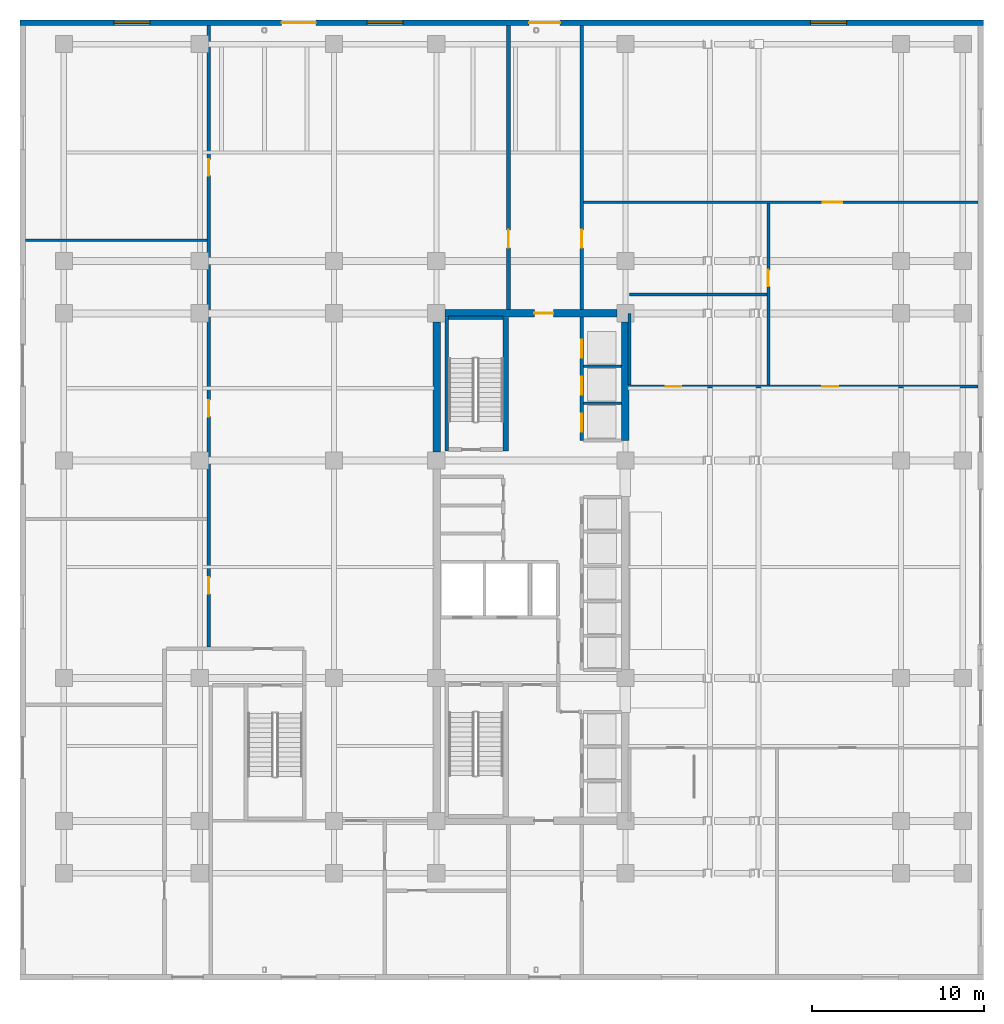
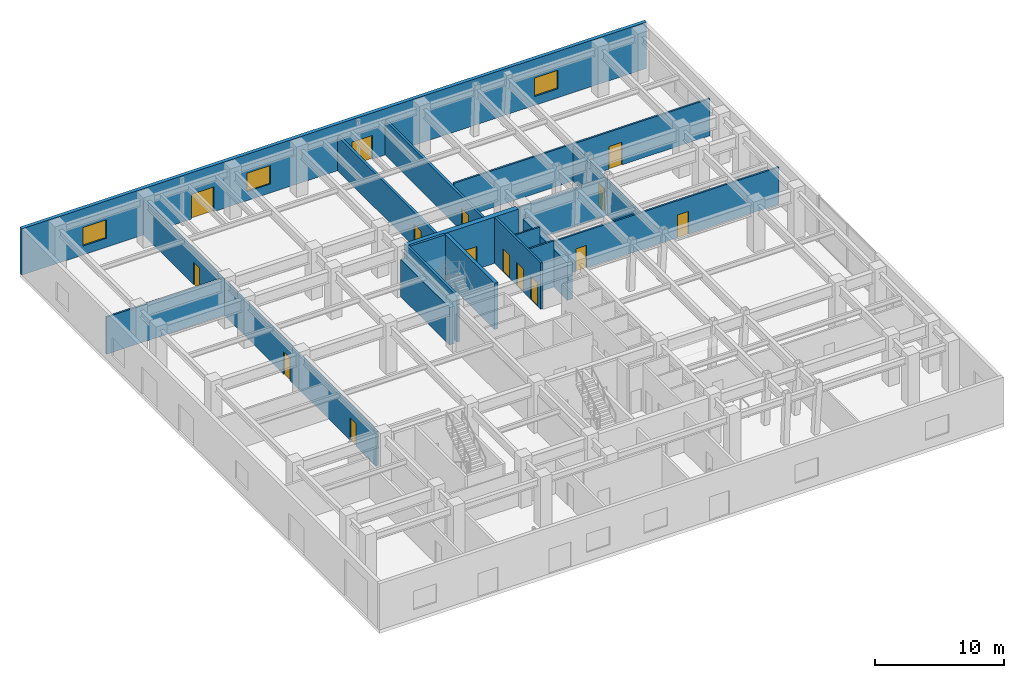
# One storey, part 10 of 13: 19 walls, 15 doors, 3 windows, 18 openings.
"""IFC4 building model written with IfcOpenShell, lengths in metres."""

from ifc_helpers import new_model, si_unit, direction, frame, frame_2d, origin, place, context, subcontext, project, spatial, rectangle, extrude, material, layer, layer_set, type_object, element, fill, save


model = new_model("IFC4")

# Units and contexts
model_context = context("Model", 3, precision=1e-05, world=origin(), true_north=direction((0.0, 1.0)))
body_context = subcontext(model_context, "Body", "Model", "MODEL_VIEW")
ifc_project = project(units=[si_unit("LENGTHUNIT", "METRE"), si_unit("AREAUNIT", "SQUARE_METRE"), si_unit("VOLUMEUNIT", "CUBIC_METRE"), si_unit("PLANEANGLEUNIT", "RADIAN"), si_unit("MASSUNIT", "GRAM", prefix="KILO")], contexts=[model_context])

# Site, building, storey
site_placement = place(None, origin())
site = spatial("IfcSite", under=ifc_project, at=site_placement, CompositionType="ELEMENT")
building_placement = place(site_placement, origin())
building = spatial("IfcBuilding", under=site, at=building_placement, Name="Ochreholt Gables", CompositionType="ELEMENT")
storey_placement = place(building_placement, origin())
storey = spatial("IfcBuildingStorey", under=building, at=storey_placement, Name="L00", CompositionType="ELEMENT", Elevation=0.0)

# Walls
ifc_material_1 = material(Name="Concrete 60 MPa", Category="concrete")
ifc_layer_1 = layer(ifc_material_1, 0.449951171875, Name="Concrete 60 MPa")
ifc_layer_set_1 = layer_set([ifc_layer_1], Name="Concrete 60 MPa")
wall_type_1 = type_object("IfcWallType", Name="WALL-CSW-450", PredefinedType="SHEAR", material=ifc_layer_set_1)
wall_1_placement = place(storey_placement, frame((24.22509765625, 30.699951171875, 0.0), z_axis=(0.0, 0.0, 1.0), x_axis=(0.0, 1.0, 0.0)))
element("IfcWall", 1, at=wall_1_placement, inside=storey, type_object=wall_type_1, Name="L00 Core West Shear Wall WN", PredefinedType="SHEAR", context=body_context, shape_type="SweptSolid", body=[
    extrude(rectangle(XDim=7.550048828125, YDim=0.449951171875, at=frame_2d((3.77490234375, 0.0))), origin(), (0.0, 0.0, 1.0), 3.5390625),
])
wall_2_placement = place(storey_placement, frame((35.175048828125, 31.35009765625, 0.0), z_axis=(0.0, 0.0, 1.0), x_axis=(0.0, 1.0, 0.0)))
element("IfcWall", 2, at=wall_2_placement, inside=storey, type_object=wall_type_1, Name="L00 Core North-East Shear Wall", PredefinedType="SHEAR", context=body_context, shape_type="SweptSolid", body=[
    extrude(rectangle(XDim=6.89990234375, YDim=0.449951171875, at=frame_2d((3.449951171875, 0.0))), origin(), (0.0, 0.0, 1.0), 3.5390625),
])

# Wall, opening, door
wall_3_placement = place(storey_placement, frame((24.699951171875, 38.75, 0.0), z_axis=(0.0, 0.0, 1.0), x_axis=(1.0, 0.0, 0.0)))
wall_3 = element("IfcWall", 3, at=wall_3_placement, inside=storey, type_object=wall_type_1, Name="L00 Core North Shear Wall", PredefinedType="SHEAR", context=body_context, shape_type="SweptSolid", body=[
    extrude(rectangle(XDim=10.0, YDim=0.449951171875, at=frame_2d((5.0, 0.0))), origin(), (0.0, 0.0, 1.0), 4.389892578125),
])
opening_1_placement = place(wall_3_placement, frame((5.199951171875, 0.0, 0.0)))
opening_1 = element("IfcOpeningElement", 4, at=opening_1_placement, cuts=wall_3, Name="Opening D-ST", PredefinedType="OPENING", context=body_context, shape_type="SweptSolid", body=[
    extrude(rectangle(XDim=1.10009765625, YDim=2.14990234375, at=frame_2d((0.550048828125, 1.074951171875))), frame((0.0, 0.23486328125, 0.0), z_axis=(0.0, -1.0, 0.0), x_axis=(1.0, 0.0, 0.0)), (0.0, 0.0, 1.0), 0.469970703125),
])
ifc_material_2 = material(Name="Hollow Metal Steel", Category="steel")
door_type_1 = type_object("IfcDoorType", Name="DR-INT-ST1100", OperationType="NOTDEFINED", PredefinedType="DOOR", material=ifc_material_2)
door_1_placement = place(opening_1_placement, origin())
door_1 = element("IfcDoor", 5, at=door_1_placement, inside=storey, type_object=door_type_1, Name="L00 Door D-CORE-N-L00", OperationType="SINGLE_SWING_RIGHT", OverallHeight=2.14990234375, OverallWidth=1.10009765625, PredefinedType="DOOR", context=body_context, shape_type="SweptSolid", body=[
    extrude(rectangle(XDim=1.10009765625, YDim=2.14990234375, at=frame_2d((0.550048828125, 1.074951171875))), frame((0.0, 0.02490234375, 0.0), z_axis=(0.0, -1.0, 0.0), x_axis=(1.0, 0.0, 0.0)), (0.0, 0.0, 1.0), 0.050048828125),
])
fill(opening_1, door_1)

# Wall, openings, doors, windows
ifc_material_3 = material(Name="Precast concrete 40 MPa", Category="concrete")
ifc_layer_2 = layer(ifc_material_3, 0.320068359375, Name="Precast concrete 40 MPa")
ifc_layer_set_2 = layer_set([ifc_layer_2], Name="Precast concrete 40 MPa")
wall_type_2 = type_object("IfcWallType", Name="WALL-EXT-320", PredefinedType="SOLIDWALL", material=ifc_layer_set_2)
wall_4_placement = place(storey_placement, frame((0.0, 55.639892578125, 0.0), z_axis=(0.0, 0.0, 1.0), x_axis=(1.0, 0.0, 0.0)))
wall_4 = element("IfcWall", 6, at=wall_4_placement, inside=storey, type_object=wall_type_2, Name="L00 North Exterior Facade Wall", PredefinedType="SOLIDWALL", context=body_context, shape_type="SweptSolid", body=[
    extrude(rectangle(XDim=56.0, YDim=0.320068359375, at=frame_2d((28.0, 0.0))), origin(), (0.0, 0.0, 1.0), 4.389892578125),
])
opening_2_placement = place(wall_4_placement, frame((29.60009765625, 0.0, 0.0)))
opening_2 = element("IfcOpeningElement", 7, at=opening_2_placement, cuts=wall_4, Name="Opening D-EX2", PredefinedType="OPENING", context=body_context, shape_type="SweptSolid", body=[
    extrude(rectangle(XDim=1.800048828125, YDim=2.25, at=frame_2d((0.89990234375, 1.125))), frame((0.0, 0.169921875, 0.0), z_axis=(0.0, -1.0, 0.0), x_axis=(1.0, 0.0, 0.0)), (0.0, 0.0, 1.0), 0.340087890625),
])
opening_3_placement = place(wall_4_placement, frame((15.199951171875, 0.0, 0.0)))
opening_3 = element("IfcOpeningElement", 8, at=opening_3_placement, cuts=wall_4, Name="Opening D-EX1", PredefinedType="OPENING", context=body_context, shape_type="SweptSolid", body=[
    extrude(rectangle(XDim=2.0, YDim=2.35009765625, at=frame_2d((1.0, 1.175048828125))), frame((0.0, 0.169921875, 0.0), z_axis=(0.0, -1.0, 0.0), x_axis=(1.0, 0.0, 0.0)), (0.0, 0.0, 1.0), 0.340087890625),
])
opening_4_placement = place(wall_4_placement, frame((5.449951171875, 0.0, 0.85009765625)))
opening_4 = element("IfcOpeningElement", 9, at=opening_4_placement, cuts=wall_4, Name="Opening WN-4", PredefinedType="OPENING", context=body_context, shape_type="SweptSolid", body=[
    extrude(rectangle(XDim=2.10009765625, YDim=1.75, at=frame_2d((1.050048828125, 0.875))), frame((0.0, 0.169921875, 0.0), z_axis=(0.0, -1.0, 0.0), x_axis=(1.0, 0.0, 0.0)), (0.0, 0.0, 1.0), 0.340087890625),
])
opening_5_placement = place(wall_4_placement, frame((20.175048828125, 0.0, 0.85009765625)))
opening_5 = element("IfcOpeningElement", 10, at=opening_5_placement, cuts=wall_4, Name="Opening WN-4", PredefinedType="OPENING", context=body_context, shape_type="SweptSolid", body=[
    extrude(rectangle(XDim=2.10009765625, YDim=1.75, at=frame_2d((1.050048828125, 0.875))), frame((0.0, 0.169921875, 0.0), z_axis=(0.0, -1.0, 0.0), x_axis=(1.0, 0.0, 0.0)), (0.0, 0.0, 1.0), 0.340087890625),
])
opening_6_placement = place(wall_4_placement, frame((45.94775390625, 0.0, 0.85009765625)))
opening_6 = element("IfcOpeningElement", 11, at=opening_6_placement, cuts=wall_4, Name="Opening WN-4", PredefinedType="OPENING", context=body_context, shape_type="SweptSolid", body=[
    extrude(rectangle(XDim=2.10009765625, YDim=1.75, at=frame_2d((1.050048828125, 0.875))), frame((0.0, 0.169921875, 0.0), z_axis=(0.0, -1.0, 0.0), x_axis=(1.0, 0.0, 0.0)), (0.0, 0.0, 1.0), 0.340087890625),
])
ifc_material_4 = material(Name="Thermally Broken Insulated Steel and Glass Door", Category="steel")
door_type_2 = type_object("IfcDoorType", Name="DR-EXT-ENT2000", OperationType="NOTDEFINED", PredefinedType="DOOR", material=ifc_material_4)
door_2_placement = place(opening_3_placement, origin())
door_2 = element("IfcDoor", 12, at=door_2_placement, inside=storey, type_object=door_type_2, Name="L00 North Concourse Entrance Door", OperationType="SINGLE_SWING_LEFT", OverallHeight=2.35009765625, OverallWidth=2.0, PredefinedType="DOOR", context=body_context, shape_type="SweptSolid", body=[
    extrude(rectangle(XDim=2.0, YDim=2.35009765625, at=frame_2d((1.0, 1.175048828125))), frame((0.0, 0.02490234375, 0.0), z_axis=(0.0, -1.0, 0.0), x_axis=(1.0, 0.0, 0.0)), (0.0, 0.0, 1.0), 0.050048828125),
])
fill(opening_3, door_2)
door_type_3 = type_object("IfcDoorType", Name="DR-EXT-ESC1800", OperationType="NOTDEFINED", PredefinedType="DOOR", material=ifc_material_4)
door_3_placement = place(opening_2_placement, origin())
door_3 = element("IfcDoor", 13, at=door_3_placement, inside=storey, type_object=door_type_3, Name="L00 North Core Final Exit Door", OperationType="SINGLE_SWING_RIGHT", OverallHeight=2.25, OverallWidth=1.800048828125, PredefinedType="DOOR", context=body_context, shape_type="SweptSolid", body=[
    extrude(rectangle(XDim=1.800048828125, YDim=2.25, at=frame_2d((0.89990234375, 1.125))), frame((0.0, 0.02490234375, 0.0), z_axis=(0.0, -1.0, 0.0), x_axis=(1.0, 0.0, 0.0)), (0.0, 0.0, 1.0), 0.050048828125),
])
fill(opening_2, door_3)
ifc_material_5 = material(Name="Triple-Glazed Thermally Broken Aluminium Window", Category="aluminium")
window_type = type_object("IfcWindowType", Name="WIN-CLN-2100", PartitioningType="SINGLE_PANEL", PredefinedType="WINDOW", material=ifc_material_5)
window_1_placement = place(opening_4_placement, origin())
window_1 = element("IfcWindow", 14, at=window_1_placement, inside=storey, type_object=window_type, Name="L00 Window W-EXT-N-L00-1", OverallHeight=1.75, OverallWidth=2.10009765625, PartitioningType="SINGLE_PANEL", PredefinedType="WINDOW", context=body_context, shape_type="SweptSolid", body=[
    extrude(rectangle(XDim=2.10009765625, YDim=1.75, at=frame_2d((1.050048828125, 0.875))), frame((0.0, 0.030029296875, 0.0), z_axis=(0.0, -1.0, 0.0), x_axis=(1.0, 0.0, 0.0)), (0.0, 0.0, 1.0), 0.06005859375),
])
fill(opening_4, window_1)
window_2_placement = place(opening_5_placement, origin())
window_2 = element("IfcWindow", 15, at=window_2_placement, inside=storey, type_object=window_type, Name="L00 Window W-EXT-N-L00-2", OverallHeight=1.75, OverallWidth=2.10009765625, PartitioningType="SINGLE_PANEL", PredefinedType="WINDOW", context=body_context, shape_type="SweptSolid", body=[
    extrude(rectangle(XDim=2.10009765625, YDim=1.75, at=frame_2d((1.050048828125, 0.875))), frame((0.0, 0.030029296875, 0.0), z_axis=(0.0, -1.0, 0.0), x_axis=(1.0, 0.0, 0.0)), (0.0, 0.0, 1.0), 0.06005859375),
])
fill(opening_5, window_2)
window_3_placement = place(opening_6_placement, origin())
window_3 = element("IfcWindow", 16, at=window_3_placement, inside=storey, type_object=window_type, Name="L00 Window W-EXT-N-L00-3", OverallHeight=1.75, OverallWidth=2.10009765625, PartitioningType="SINGLE_PANEL", PredefinedType="WINDOW", context=body_context, shape_type="SweptSolid", body=[
    extrude(rectangle(XDim=2.10009765625, YDim=1.75, at=frame_2d((1.050048828125, 0.875))), frame((0.0, 0.030029296875, 0.0), z_axis=(0.0, -1.0, 0.0), x_axis=(1.0, 0.0, 0.0)), (0.0, 0.0, 1.0), 0.06005859375),
])
fill(opening_6, window_3)

# Wall, openings, doors
ifc_material_6 = material(Name="Concrete 40 MPa", Category="concrete")
ifc_layer_3 = layer(ifc_material_6, 0.199951171875, Name="Concrete 40 MPa")
ifc_layer_set_3 = layer_set([ifc_layer_3], Name="Concrete 40 MPa")
wall_type_3 = type_object("IfcWallType", Name="WALL-INT-CF200", PredefinedType="STANDARD", material=ifc_layer_set_3)
wall_5_placement = place(storey_placement, frame((10.97998046875, 19.360107421875, 0.0), z_axis=(0.0, 0.0, 1.0), x_axis=(0.0, 1.0, 0.0)))
wall_5 = element("IfcWall", 17, at=wall_5_placement, inside=storey, type_object=wall_type_3, Name="L00 Interior Wall WI-L00-WE", PredefinedType="STANDARD", context=body_context, shape_type="SweptSolid", body=[
    extrude(rectangle(XDim=36.119873046875, YDim=0.199951171875, at=frame_2d((18.06005859375, 0.0))), origin(), (0.0, 0.0, 1.0), 3.27197265625),
])
opening_7_placement = place(wall_5_placement, frame((3.090087890625, 0.0, 0.0)))
opening_7 = element("IfcOpeningElement", 18, at=opening_7_placement, cuts=wall_5, Name="Opening D-GN1", PredefinedType="OPENING", context=body_context, shape_type="SweptSolid", body=[
    extrude(rectangle(XDim=0.949951171875, YDim=2.14990234375, at=frame_2d((0.47509765625, 1.074951171875))), frame((0.0, 0.10986328125, 0.0), z_axis=(0.0, -1.0, 0.0), x_axis=(1.0, 0.0, 0.0)), (0.0, 0.0, 1.0), 0.219970703125),
])
opening_8_placement = place(wall_5_placement, frame((13.389892578125, 0.0, 0.0)))
opening_8 = element("IfcOpeningElement", 19, at=opening_8_placement, cuts=wall_5, Name="Opening D-GN1", PredefinedType="OPENING", context=body_context, shape_type="SweptSolid", body=[
    extrude(rectangle(XDim=0.949951171875, YDim=2.14990234375, at=frame_2d((0.47509765625, 1.074951171875))), frame((0.0, 0.10986328125, 0.0), z_axis=(0.0, -1.0, 0.0), x_axis=(1.0, 0.0, 0.0)), (0.0, 0.0, 1.0), 0.219970703125),
])
opening_9_placement = place(wall_5_placement, frame((27.389892578125, 0.0, 0.0)))
opening_9 = element("IfcOpeningElement", 20, at=opening_9_placement, cuts=wall_5, Name="Opening D-GN1", PredefinedType="OPENING", context=body_context, shape_type="SweptSolid", body=[
    extrude(rectangle(XDim=0.949951171875, YDim=2.14990234375, at=frame_2d((0.47509765625, 1.074951171875))), frame((0.0, 0.10986328125, 0.0), z_axis=(0.0, -1.0, 0.0), x_axis=(1.0, 0.0, 0.0)), (0.0, 0.0, 1.0), 0.219970703125),
])
ifc_material_7 = material(Name="Engineered Oak Timber", Category="wood")
door_type_4 = type_object("IfcDoorType", Name="DR-INT-GEN950", OperationType="NOTDEFINED", PredefinedType="DOOR", material=ifc_material_7)
door_4_placement = place(opening_7_placement, origin())
door_4 = element("IfcDoor", 21, at=door_4_placement, inside=storey, type_object=door_type_4, Name="L00 Door D-L00-MAIL", OperationType="SINGLE_SWING_RIGHT", OverallHeight=2.14990234375, OverallWidth=0.949951171875, PredefinedType="DOOR", context=body_context, shape_type="SweptSolid", body=[
    extrude(rectangle(XDim=0.949951171875, YDim=2.14990234375, at=frame_2d((0.47509765625, 1.074951171875))), frame((0.0, 0.02490234375, 0.0), z_axis=(0.0, -1.0, 0.0), x_axis=(1.0, 0.0, 0.0)), (0.0, 0.0, 1.0), 0.050048828125),
])
fill(opening_7, door_4)
door_5_placement = place(opening_8_placement, origin())
door_5 = element("IfcDoor", 22, at=door_5_placement, inside=storey, type_object=door_type_4, Name="L00 Door D-L00-BIKE", OperationType="SINGLE_SWING_LEFT", OverallHeight=2.14990234375, OverallWidth=0.949951171875, PredefinedType="DOOR", context=body_context, shape_type="SweptSolid", body=[
    extrude(rectangle(XDim=0.949951171875, YDim=2.14990234375, at=frame_2d((0.47509765625, 1.074951171875))), frame((0.0, 0.02490234375, 0.0), z_axis=(0.0, -1.0, 0.0), x_axis=(1.0, 0.0, 0.0)), (0.0, 0.0, 1.0), 0.050048828125),
])
fill(opening_8, door_5)
door_6_placement = place(opening_9_placement, origin())
door_6 = element("IfcDoor", 23, at=door_6_placement, inside=storey, type_object=door_type_4, Name="L00 Door D-L00-OUTR", OperationType="SINGLE_SWING_RIGHT", OverallHeight=2.14990234375, OverallWidth=0.949951171875, PredefinedType="DOOR", context=body_context, shape_type="SweptSolid", body=[
    extrude(rectangle(XDim=0.949951171875, YDim=2.14990234375, at=frame_2d((0.47509765625, 1.074951171875))), frame((0.0, 0.02490234375, 0.0), z_axis=(0.0, -1.0, 0.0), x_axis=(1.0, 0.0, 0.0)), (0.0, 0.0, 1.0), 0.050048828125),
])
fill(opening_9, door_6)

# Wall, opening, door
ifc_layer_4 = layer(ifc_material_6, 0.219970703125, Name="Concrete 40 MPa")
ifc_layer_set_4 = layer_set([ifc_layer_4], Name="Concrete 40 MPa")
wall_type_4 = type_object("IfcWallType", Name="WALL-INT-CF220", PredefinedType="STANDARD", material=ifc_layer_set_4)
wall_6_placement = place(storey_placement, frame((28.389892578125, 38.97509765625, 0.0), z_axis=(0.0, 0.0, 1.0), x_axis=(0.0, 1.0, 0.0)))
wall_6 = element("IfcWall", 24, at=wall_6_placement, inside=storey, type_object=wall_type_4, Name="L00 Interior Wall WI-EXP-NCW", PredefinedType="STANDARD", context=body_context, shape_type="SweptSolid", body=[
    extrude(rectangle(XDim=16.5048828125, YDim=0.219970703125, at=frame_2d((8.25244140625, 0.0))), origin(), (0.0, 0.0, 1.0), 3.27197265625),
])
opening_10_placement = place(wall_6_placement, frame((3.574951171875, 0.0, 0.0)))
opening_10 = element("IfcOpeningElement", 25, at=opening_10_placement, cuts=wall_6, Name="Opening D-FLB", PredefinedType="OPENING", context=body_context, shape_type="SweptSolid", body=[
    extrude(rectangle(XDim=1.050048828125, YDim=2.14990234375, at=frame_2d((0.52490234375, 1.074951171875))), frame((0.0, 0.119873046875, 0.0), z_axis=(0.0, -1.0, 0.0), x_axis=(1.0, 0.0, 0.0)), (0.0, 0.0, 1.0), 0.239990234375),
])
door_type_5 = type_object("IfcDoorType", Name="DR-INT-FLB1050", OperationType="NOTDEFINED", PredefinedType="DOOR", material=ifc_material_2)
door_7_placement = place(opening_10_placement, origin())
door_7 = element("IfcDoor", 26, at=door_7_placement, inside=storey, type_object=door_type_5, Name="L00 Door D-EXP-NCW-LOB", OperationType="SINGLE_SWING_RIGHT", OverallHeight=2.14990234375, OverallWidth=1.050048828125, PredefinedType="DOOR", context=body_context, shape_type="SweptSolid", body=[
    extrude(rectangle(XDim=1.050048828125, YDim=2.14990234375, at=frame_2d((0.52490234375, 1.074951171875))), frame((0.0, 0.02490234375, 0.0), z_axis=(0.0, -1.0, 0.0), x_axis=(1.0, 0.0, 0.0)), (0.0, 0.0, 1.0), 0.050048828125),
])
fill(opening_10, door_7)

wall_7_placement = place(storey_placement, frame((32.64990234375, 38.97509765625, 0.0), z_axis=(0.0, 0.0, 1.0), x_axis=(0.0, 1.0, 0.0)))
wall_7 = element("IfcWall", 27, at=wall_7_placement, inside=storey, type_object=wall_type_4, Name="L00 Interior Wall WI-EXP-NCE", PredefinedType="STANDARD", context=body_context, shape_type="SweptSolid", body=[
    extrude(rectangle(XDim=16.5048828125, YDim=0.219970703125, at=frame_2d((8.25244140625, 0.0))), origin(), (0.0, 0.0, 1.0), 3.27197265625),
])
opening_11_placement = place(wall_7_placement, frame((3.574951171875, 0.0, 0.0)))
opening_11 = element("IfcOpeningElement", 28, at=opening_11_placement, cuts=wall_7, Name="Opening D-FLB", PredefinedType="OPENING", context=body_context, shape_type="SweptSolid", body=[
    extrude(rectangle(XDim=1.050048828125, YDim=2.14990234375, at=frame_2d((0.52490234375, 1.074951171875))), frame((0.0, 0.119873046875, 0.0), z_axis=(0.0, -1.0, 0.0), x_axis=(1.0, 0.0, 0.0)), (0.0, 0.0, 1.0), 0.239990234375),
])
door_8_placement = place(opening_11_placement, origin())
door_8 = element("IfcDoor", 29, at=door_8_placement, inside=storey, type_object=door_type_5, Name="L00 Door D-EXP-NCE-LOB", OperationType="SINGLE_SWING_LEFT", OverallHeight=2.14990234375, OverallWidth=1.050048828125, PredefinedType="DOOR", context=body_context, shape_type="SweptSolid", body=[
    extrude(rectangle(XDim=1.050048828125, YDim=2.14990234375, at=frame_2d((0.52490234375, 1.074951171875))), frame((0.0, 0.02490234375, 0.0), z_axis=(0.0, -1.0, 0.0), x_axis=(1.0, 0.0, 0.0)), (0.0, 0.0, 1.0), 0.050048828125),
])
fill(opening_11, door_8)

ifc_material_8 = material(Name="Moisture-Resistant Plumbing Chase Wall", Category="gypsum")
ifc_layer_5 = layer(ifc_material_8, 0.175048828125, Name="Moisture-Resistant Plumbing Chase Wall")
ifc_layer_set_5 = layer_set([ifc_layer_5], Name="Moisture-Resistant Plumbing Chase Wall")
wall_type_5 = type_object("IfcWallType", Name="WALL-INT-PL175", PredefinedType="PLUMBINGWALL", material=ifc_layer_set_5)
wall_8_placement = place(storey_placement, frame((43.5, 34.580078125, 0.0), z_axis=(0.0, 0.0, 1.0), x_axis=(0.0, 1.0, 0.0)))
wall_8 = element("IfcWall", 30, at=wall_8_placement, inside=storey, type_object=wall_type_5, Name="L00 Interior Wall WI-L00-EWC", PredefinedType="PLUMBINGWALL", context=body_context, shape_type="SweptSolid", body=[
    extrude(rectangle(XDim=10.5400390625, YDim=0.175048828125, at=frame_2d((5.27001953125, 0.0))), origin(), (0.0, 0.0, 1.0), 3.27197265625),
])
opening_12_placement = place(wall_8_placement, frame((5.739990234375, 0.0, 0.0)))
opening_12 = element("IfcOpeningElement", 31, at=opening_12_placement, cuts=wall_8, Name="Opening D-WC2", PredefinedType="OPENING", context=body_context, shape_type="SweptSolid", body=[
    extrude(rectangle(XDim=0.949951171875, YDim=2.139892578125, at=frame_2d((0.47509765625, 1.06982421875))), frame((0.0, 0.097412109375, 0.0), z_axis=(0.0, -1.0, 0.0), x_axis=(1.0, 0.0, 0.0)), (0.0, 0.0, 1.0), 0.195068359375),
])
door_type_6 = type_object("IfcDoorType", Name="DR-INT-WC950", OperationType="NOTDEFINED", PredefinedType="DOOR", material=ifc_material_7)
door_9_placement = place(opening_12_placement, origin())
door_9 = element("IfcDoor", 32, at=door_9_placement, inside=storey, type_object=door_type_6, Name="L00 Door D-L00-WC2", OperationType="SINGLE_SWING_RIGHT", OverallHeight=2.139892578125, OverallWidth=0.949951171875, PredefinedType="DOOR", context=body_context, shape_type="SweptSolid", body=[
    extrude(rectangle(XDim=0.949951171875, YDim=2.139892578125, at=frame_2d((0.47509765625, 1.06982421875))), frame((0.0, 0.02490234375, 0.0), z_axis=(0.0, -1.0, 0.0), x_axis=(1.0, 0.0, 0.0)), (0.0, 0.0, 1.0), 0.050048828125),
])
fill(opening_12, door_9)

# Walls
wall_9_placement = place(storey_placement, frame((35.419921875, 39.85009765625, 0.0), z_axis=(0.0, 0.0, 1.0), x_axis=(1.0, 0.0, 0.0)))
element("IfcWall", 33, at=wall_9_placement, inside=storey, type_object=wall_type_5, Name="L00 Interior Wall WI-L00-EWCD", PredefinedType="PLUMBINGWALL", context=body_context, shape_type="SweptSolid", body=[
    extrude(rectangle(XDim=7.99267578125, YDim=0.175048828125, at=frame_2d((3.996337890625, 0.0))), origin(), (0.0, 0.0, 1.0), 3.52099609375),
])
ifc_material_9 = material(Name="Gypsum Acoustic Stud Partition", Category="gypsum")
ifc_layer_6 = layer(ifc_material_9, 0.159912109375, Name="Gypsum Acoustic Stud Partition")
ifc_layer_set_6 = layer_set([ifc_layer_6], Name="Gypsum Acoustic Stud Partition")
wall_type_6 = type_object("IfcWallType", Name="WALL-INT-PT160", PredefinedType="PARTITIONING", material=ifc_layer_set_6)
wall_10_placement = place(storey_placement, frame((0.320068359375, 43.0, 0.0), z_axis=(0.0, 0.0, 1.0), x_axis=(1.0, 0.0, 0.0)))
element("IfcWall", 34, at=wall_10_placement, inside=storey, type_object=wall_type_6, Name="L00 Interior Wall WI-L00-WY3", PredefinedType="PARTITIONING", context=body_context, shape_type="SweptSolid", body=[
    extrude(rectangle(XDim=10.559814453125, YDim=0.159912109375, at=frame_2d((5.27978515625, 0.0))), origin(), (0.0, 0.0, 1.0), 3.52099609375),
])

# Wall, openings, doors
wall_11_placement = place(storey_placement, frame((35.419921875, 34.5, 0.0), z_axis=(0.0, 0.0, 1.0), x_axis=(1.0, 0.0, 0.0)))
wall_11 = element("IfcWall", 35, at=wall_11_placement, inside=storey, type_object=wall_type_6, Name="L00 Interior Wall WI-L00-EN", PredefinedType="PARTITIONING", context=body_context, shape_type="SweptSolid", body=[
    extrude(rectangle(XDim=20.260009765625, YDim=0.159912109375, at=frame_2d((10.1298828125, 0.0))), origin(), (0.0, 0.0, 1.0), 3.52099609375),
])
opening_13_placement = place(wall_11_placement, frame((2.10009765625, 0.0, 0.0)))
opening_13 = element("IfcOpeningElement", 36, at=opening_13_placement, cuts=wall_11, Name="Opening D-WC1", PredefinedType="OPENING", context=body_context, shape_type="SweptSolid", body=[
    extrude(rectangle(XDim=0.919921875, YDim=2.139892578125, at=frame_2d((0.4599609375, 1.06982421875))), frame((0.0, 0.08984375, 0.0), z_axis=(0.0, -1.0, 0.0), x_axis=(1.0, 0.0, 0.0)), (0.0, 0.0, 1.0), 0.179931640625),
])
opening_14_placement = place(wall_11_placement, frame((11.199951171875, 0.0, 0.0)))
opening_14 = element("IfcOpeningElement", 37, at=opening_14_placement, cuts=wall_11, Name="Opening D-GN1", PredefinedType="OPENING", context=body_context, shape_type="SweptSolid", body=[
    extrude(rectangle(XDim=0.949951171875, YDim=2.14990234375, at=frame_2d((0.47509765625, 1.074951171875))), frame((0.0, 0.08984375, 0.0), z_axis=(0.0, -1.0, 0.0), x_axis=(1.0, 0.0, 0.0)), (0.0, 0.0, 1.0), 0.179931640625),
])
door_10_placement = place(opening_14_placement, origin())
door_10 = element("IfcDoor", 38, at=door_10_placement, inside=storey, type_object=door_type_4, Name="L00 Door D-L00-CAF", OperationType="SINGLE_SWING_LEFT", OverallHeight=2.14990234375, OverallWidth=0.949951171875, PredefinedType="DOOR", context=body_context, shape_type="SweptSolid", body=[
    extrude(rectangle(XDim=0.949951171875, YDim=2.14990234375, at=frame_2d((0.47509765625, 1.074951171875))), frame((0.0, 0.02490234375, 0.0), z_axis=(0.0, -1.0, 0.0), x_axis=(1.0, 0.0, 0.0)), (0.0, 0.0, 1.0), 0.050048828125),
])
fill(opening_14, door_10)
door_type_7 = type_object("IfcDoorType", Name="DR-INT-WC920", OperationType="NOTDEFINED", PredefinedType="DOOR", material=ifc_material_7)
door_11_placement = place(opening_13_placement, origin())
door_11 = element("IfcDoor", 39, at=door_11_placement, inside=storey, type_object=door_type_7, Name="L00 Door D-L00-WC1", OperationType="SINGLE_SWING_LEFT", OverallHeight=2.139892578125, OverallWidth=0.919921875, PredefinedType="DOOR", context=body_context, shape_type="SweptSolid", body=[
    extrude(rectangle(XDim=0.919921875, YDim=2.139892578125, at=frame_2d((0.4599609375, 1.06982421875))), frame((0.0, 0.02490234375, 0.0), z_axis=(0.0, -1.0, 0.0), x_axis=(1.0, 0.0, 0.0)), (0.0, 0.0, 1.0), 0.050048828125),
])
fill(opening_13, door_11)

# Wall
wall_12_placement = place(storey_placement, frame((35.419921875, 34.580078125, 0.0), z_axis=(0.0, 0.0, 1.0), x_axis=(0.0, 1.0, 0.0)))
element("IfcWall", 40, at=wall_12_placement, inside=storey, type_object=wall_type_6, Name="L00 Interior Wall WI-L00-ENW", PredefinedType="PARTITIONING", context=body_context, shape_type="SweptSolid", body=[
    extrude(rectangle(XDim=4.169921875, YDim=0.159912109375, at=frame_2d((2.0849609375, 0.0))), origin(), (0.0, 0.0, 1.0), 3.52099609375),
])

# Wall, opening, door
wall_13_placement = place(storey_placement, frame((32.760009765625, 45.199951171875, 0.0), z_axis=(0.0, 0.0, 1.0), x_axis=(1.0, 0.0, 0.0)))
wall_13 = element("IfcWall", 41, at=wall_13_placement, inside=storey, type_object=wall_type_6, Name="L00 Interior Wall WI-L00-EN2", PredefinedType="PARTITIONING", context=body_context, shape_type="SweptSolid", body=[
    extrude(rectangle(XDim=22.919921875, YDim=0.159912109375, at=frame_2d((11.4599609375, 0.0))), origin(), (0.0, 0.0, 1.0), 3.52099609375),
])
opening_15_placement = place(wall_13_placement, frame((13.889892578125, 0.0, 0.0)))
opening_15 = element("IfcOpeningElement", 42, at=opening_15_placement, cuts=wall_13, Name="Opening D-CM1", PredefinedType="OPENING", context=body_context, shape_type="SweptSolid", body=[
    extrude(rectangle(XDim=1.14990234375, YDim=2.14990234375, at=frame_2d((0.574951171875, 1.074951171875))), frame((0.0, 0.08984375, 0.0), z_axis=(0.0, -1.0, 0.0), x_axis=(1.0, 0.0, 0.0)), (0.0, 0.0, 1.0), 0.179931640625),
])
door_type_8 = type_object("IfcDoorType", Name="DR-INT-COM1150", OperationType="NOTDEFINED", PredefinedType="DOOR", material=ifc_material_7)
door_12_placement = place(opening_15_placement, origin())
door_12 = element("IfcDoor", 43, at=door_12_placement, inside=storey, type_object=door_type_8, Name="L00 Door D-L00-MP", OperationType="SINGLE_SWING_RIGHT", OverallHeight=2.14990234375, OverallWidth=1.14990234375, PredefinedType="DOOR", context=body_context, shape_type="SweptSolid", body=[
    extrude(rectangle(XDim=1.14990234375, YDim=2.14990234375, at=frame_2d((0.574951171875, 1.074951171875))), frame((0.0, 0.02490234375, 0.0), z_axis=(0.0, -1.0, 0.0), x_axis=(1.0, 0.0, 0.0)), (0.0, 0.0, 1.0), 0.050048828125),
])
fill(opening_15, door_12)

# Walls
ifc_material_10 = material(Name="Gypsum Shaftliner and Steel Stud", Category="steel")
ifc_layer_7 = layer(ifc_material_10, 0.14990234375, Name="Gypsum Shaftliner and Steel Stud")
ifc_layer_set_7 = layer_set([ifc_layer_7], Name="Gypsum Shaftliner and Steel Stud")
wall_type_7 = type_object("IfcWallType", Name="WALL-INT-SH150", PredefinedType="STANDARD", material=ifc_layer_set_7)
for number, where, z_axis, x_axis, name in (
    (44, (32.739990234375, 33.52001953125, 0.0), (0.0, 0.0, 1.0), (1.0, 0.0, 0.0), "L00 Interior Wall WI-LFM-D1-L00"),
    (45, (32.739990234375, 35.669921875, 0.0), (0.0, 0.0, 1.0), (1.0, 0.0, 0.0), "L00 Interior Wall WI-LFM-D2-L00"),
):
    element("IfcWall", number, at=place(storey_placement, frame(where, z_axis=z_axis, x_axis=x_axis)), inside=storey, type_object=wall_type_7, Name=name, PredefinedType="STANDARD", context=body_context, shape_type="SweptSolid", body=[
        extrude(rectangle(XDim=2.2099609375, YDim=0.14990234375, at=frame_2d((1.10498046875, 0.0))), origin(), (0.0, 0.0, 1.0), 4.389892578125),
    ])

# Wall, openings, doors
ifc_layer_8 = layer(ifc_material_10, 0.179931640625, Name="Gypsum Shaftliner and Steel Stud")
ifc_layer_set_8 = layer_set([ifc_layer_8], Name="Gypsum Shaftliner and Steel Stud")
wall_type_8 = type_object("IfcWallType", Name="WALL-INT-SH180", PredefinedType="STANDARD", material=ifc_layer_set_8)
wall_14_placement = place(storey_placement, frame((32.64990234375, 31.35009765625, 0.0), z_axis=(0.0, 0.0, 1.0), x_axis=(0.0, 1.0, 0.0)))
wall_14 = element("IfcWall", 46, at=wall_14_placement, inside=storey, type_object=wall_type_8, Name="L00 Interior Wall WI-LFM-FR-L00", PredefinedType="STANDARD", context=body_context, shape_type="SweptSolid", body=[
    extrude(rectangle(XDim=7.1748046875, YDim=0.179931640625, at=frame_2d((3.58740234375, 0.0))), origin(), (0.0, 0.0, 1.0), 4.389892578125),
])
opening_16_placement = place(wall_14_placement, frame((0.52001953125, 0.0, 0.0)))
opening_16 = element("IfcOpeningElement", 47, at=opening_16_placement, cuts=wall_14, Name="Opening LD-PX", PredefinedType="OPENING", context=body_context, shape_type="SweptSolid", body=[
    extrude(rectangle(XDim=1.050048828125, YDim=2.199951171875, at=frame_2d((0.52490234375, 1.10009765625))), frame((0.0, 0.099853515625, 0.0), z_axis=(0.0, -1.0, 0.0), x_axis=(1.0, 0.0, 0.0)), (0.0, 0.0, 1.0), 0.199951171875),
])
opening_17_placement = place(wall_14_placement, frame((2.669921875, 0.0, 0.0)))
opening_17 = element("IfcOpeningElement", 48, at=opening_17_placement, cuts=wall_14, Name="Opening LD-PX", PredefinedType="OPENING", context=body_context, shape_type="SweptSolid", body=[
    extrude(rectangle(XDim=1.050048828125, YDim=2.199951171875, at=frame_2d((0.52490234375, 1.10009765625))), frame((0.0, 0.099853515625, 0.0), z_axis=(0.0, -1.0, 0.0), x_axis=(1.0, 0.0, 0.0)), (0.0, 0.0, 1.0), 0.199951171875),
])
opening_18_placement = place(wall_14_placement, frame((4.820068359375, 0.0, 0.0)))
opening_18 = element("IfcOpeningElement", 49, at=opening_18_placement, cuts=wall_14, Name="Opening LD-PX", PredefinedType="OPENING", context=body_context, shape_type="SweptSolid", body=[
    extrude(rectangle(XDim=1.050048828125, YDim=2.199951171875, at=frame_2d((0.52490234375, 1.10009765625))), frame((0.0, 0.099853515625, 0.0), z_axis=(0.0, -1.0, 0.0), x_axis=(1.0, 0.0, 0.0)), (0.0, 0.0, 1.0), 0.199951171875),
])
ifc_material_11 = material(Name="Stainless Steel", Category="steel")
door_type_9 = type_object("IfcDoorType", Name="DR-LFT-PX1050", OperationType="NOTDEFINED", PredefinedType="DOOR", material=ifc_material_11)
door_13_placement = place(opening_16_placement, origin())
door_13 = element("IfcDoor", 50, at=door_13_placement, inside=storey, type_object=door_type_9, Name="L00 Door LD-M1-L00", OperationType="SLIDING_TO_LEFT", OverallHeight=2.199951171875, OverallWidth=1.050048828125, PredefinedType="DOOR", context=body_context, shape_type="SweptSolid", body=[
    extrude(rectangle(XDim=1.050048828125, YDim=2.199951171875, at=frame_2d((0.52490234375, 1.10009765625))), frame((0.0, 0.02490234375, 0.0), z_axis=(0.0, -1.0, 0.0), x_axis=(1.0, 0.0, 0.0)), (0.0, 0.0, 1.0), 0.050048828125),
])
fill(opening_16, door_13)
door_14_placement = place(opening_17_placement, origin())
door_14 = element("IfcDoor", 51, at=door_14_placement, inside=storey, type_object=door_type_9, Name="L00 Door LD-M2-L00", OperationType="SLIDING_TO_LEFT", OverallHeight=2.199951171875, OverallWidth=1.050048828125, PredefinedType="DOOR", context=body_context, shape_type="SweptSolid", body=[
    extrude(rectangle(XDim=1.050048828125, YDim=2.199951171875, at=frame_2d((0.52490234375, 1.10009765625))), frame((0.0, 0.02490234375, 0.0), z_axis=(0.0, -1.0, 0.0), x_axis=(1.0, 0.0, 0.0)), (0.0, 0.0, 1.0), 0.050048828125),
])
fill(opening_17, door_14)
door_15_placement = place(opening_18_placement, origin())
door_15 = element("IfcDoor", 52, at=door_15_placement, inside=storey, type_object=door_type_9, Name="L00 Door LD-M3-L00", OperationType="SLIDING_TO_LEFT", OverallHeight=2.199951171875, OverallWidth=1.050048828125, PredefinedType="DOOR", context=body_context, shape_type="SweptSolid", body=[
    extrude(rectangle(XDim=1.050048828125, YDim=2.199951171875, at=frame_2d((0.52490234375, 1.10009765625))), frame((0.0, 0.02490234375, 0.0), z_axis=(0.0, -1.0, 0.0), x_axis=(1.0, 0.0, 0.0)), (0.0, 0.0, 1.0), 0.050048828125),
])
fill(opening_18, door_15)

# Walls
ifc_layer_9 = layer(ifc_material_1, 0.300048828125, Name="Concrete 60 MPa")
ifc_layer_set_9 = layer_set([ifc_layer_9], Name="Concrete 60 MPa")
wall_type_9 = type_object("IfcWallType", Name="WALL-SPN-300", PredefinedType="SHEAR", material=ifc_layer_set_9)
wall_15_placement = place(storey_placement, frame((28.22998046875, 30.739990234375, 0.0), z_axis=(0.0, 0.0, 1.0), x_axis=(0.0, 1.0, 0.0)))
element("IfcWall", 53, at=wall_15_placement, inside=storey, type_object=wall_type_9, Name="L00 Core North Spine Shear Wall", PredefinedType="SHEAR", context=body_context, shape_type="SweptSolid", body=[
    extrude(rectangle(XDim=7.760009765625, YDim=0.300048828125, at=frame_2d((3.8798828125, 0.0))), origin(), (0.0, 0.0, 1.0), 4.389892578125),
])
ifc_material_12 = material(Name="Concrete 50 MPa", Category="concrete")
ifc_layer_10 = layer(ifc_material_12, 0.219970703125, Name="Concrete 50 MPa")
ifc_layer_set_10 = layer_set([ifc_layer_10], Name="Concrete 50 MPa")
wall_type_10 = type_object("IfcWallType", Name="WALL-STW-220", PredefinedType="SHEAR", material=ifc_layer_set_10)
wall_16_placement = place(storey_placement, frame((24.81005859375, 30.739990234375, 0.0), z_axis=(0.0, 0.0, 1.0), x_axis=(0.0, 1.0, 0.0)))
element("IfcWall", 54, at=wall_16_placement, inside=storey, type_object=wall_type_10, Name="L00 Exit Stair 2 West Wall", PredefinedType="SHEAR", context=body_context, shape_type="SweptSolid", body=[
    extrude(rectangle(XDim=7.760009765625, YDim=0.219970703125, at=frame_2d((3.8798828125, 0.0))), origin(), (0.0, 0.0, 1.0), 4.389892578125),
])
wall_17_placement = place(storey_placement, frame((24.919921875, 38.489990234375, 0.0), z_axis=(0.0, 0.0, 1.0), x_axis=(1.0, 0.0, 0.0)))
element("IfcWall", 55, at=wall_17_placement, inside=storey, type_object=wall_type_10, Name="L00 Exit Stair 2 North Wall", PredefinedType="SHEAR", context=body_context, shape_type="SweptSolid", body=[
    extrude(rectangle(XDim=3.16015625, YDim=0.219970703125, at=frame_2d((1.580078125, 0.0))), origin(), (0.0, 0.0, 1.0), 4.389892578125),
])

save(model, "model.ifc")
